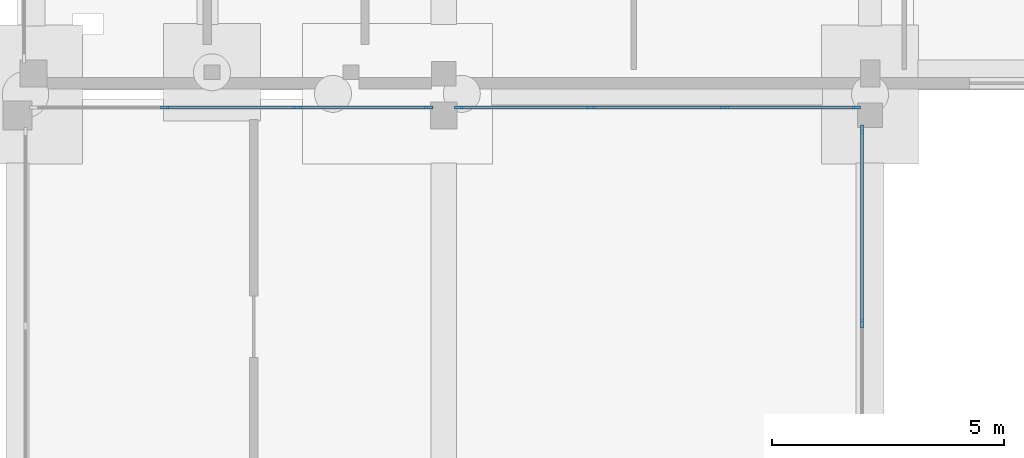
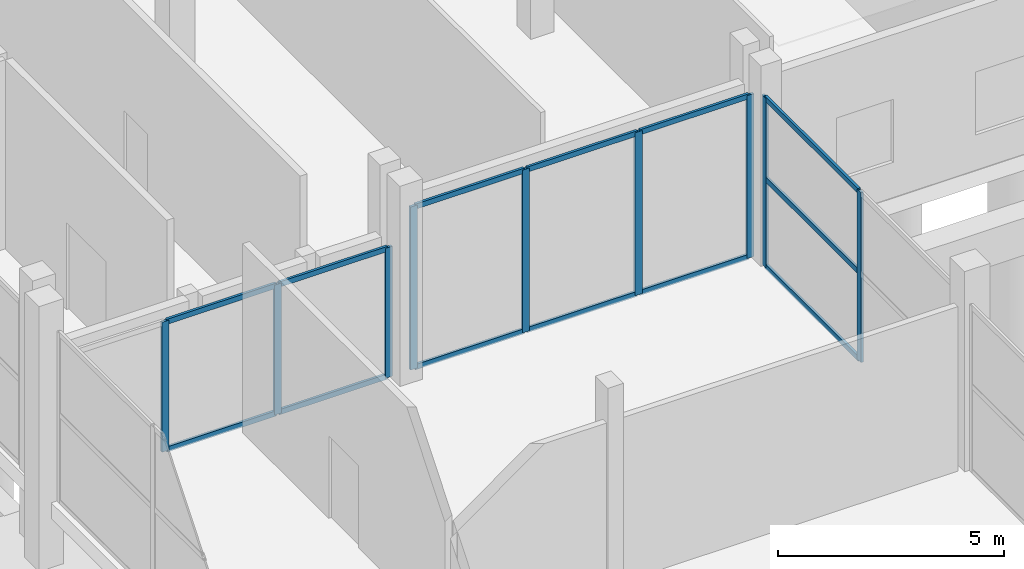
# One storey, part 44 of 88: 22 members, 3 elements without a shape of their own.
"""IFC4 building model written with IfcOpenShell, lengths in metres."""

import ifcopenshell
import ifcopenshell.guid

model = None  # the IFC model being written
_history = None  # IfcOwnerHistory: only IFC2X3 demands one
_inside = {}  # id of a spatial element -> (the spatial element, [elements in it])
_under = {}  # id of a project, library or spatial element -> (it, [spatial elements below it])
_declared = {}  # id of a project -> (the project, [libraries it declares])
_typed = {}  # id of a type object -> (the type object, [elements of that type])
_made_of = {}  # id of a material, layer set ... -> (it, [elements and type objects made of it])


def new_model(schema):
    """Start an empty IFC model of exactly this schema.

    Asked for "IFC4X3", IfcOpenShell would pick the latest addendum, in which some entities
    have other attributes; the version numbers below select the first issue.
    IFC2X3 requires an IfcOwnerHistory on every rooted entity: one is made here for all.
    """
    global model, _history
    if schema == "IFC4X3":
        model = ifcopenshell.file(schema_version=(4, 3, 0, 0))
    else:
        model = ifcopenshell.file(schema=schema)
    _inside.clear()
    _under.clear()
    _declared.clear()
    _typed.clear()
    _made_of.clear()
    _history = None
    if model.schema == "IFC2X3":
        org = make("IfcOrganization", Name="unknown")
        user = make(
            "IfcPersonAndOrganization",
            ThePerson=make("IfcPerson", FamilyName="unknown"),
            TheOrganization=org,
        )
        app = make(
            "IfcApplication",
            ApplicationDeveloper=org,
            Version="unknown",
            ApplicationFullName="unknown",
            ApplicationIdentifier="unknown",
        )
        _history = make(
            "IfcOwnerHistory",
            OwningUser=user,
            OwningApplication=app,
            ChangeAction="ADDED",
            CreationDate=0,
        )
    return model


def make(cls, **values):
    """One entity of the class cls with the attributes given. An attribute that is None is left unset."""
    return model.create_entity(
        cls, **{name: value for name, value in values.items() if value is not None}
    )


def rooted(cls, **values):
    """An entity with a GlobalId (a new one), such as an element, a storey or a relation."""
    return make(cls, GlobalId=ifcopenshell.guid.new(), OwnerHistory=_history, **values)


def si_unit(unit_type, name, prefix=None):
    """IfcSIUnit, for example si_unit("LENGTHUNIT", "METRE", prefix="MILLI")."""
    return make("IfcSIUnit", UnitType=unit_type, Prefix=prefix, Name=name)


def assignment(units):
    """IfcUnitAssignment: the units of a project."""
    return None if units is None else make("IfcUnitAssignment", Units=units)


def point(xyz):
    """IfcCartesianPoint."""
    return None if xyz is None else make("IfcCartesianPoint", Coordinates=xyz)


def direction(xyz):
    """IfcDirection."""
    return None if xyz is None else make("IfcDirection", DirectionRatios=xyz)


def frame(location, z_axis=None, x_axis=None):
    """IfcAxis2Placement3D, a coordinate frame: its origin and axes. An axis left out is left unset."""
    return make(
        "IfcAxis2Placement3D",
        Location=point(location),
        Axis=direction(z_axis),
        RefDirection=direction(x_axis),
    )


def frame_2d(location, x_axis=None):
    """IfcAxis2Placement2D, a coordinate frame in the plane: its origin and x axis."""
    return make(
        "IfcAxis2Placement2D", Location=point(location), RefDirection=direction(x_axis)
    )


def origin():
    """The frame at (0, 0, 0) with its axes left unset."""
    return frame((0.0, 0.0, 0.0))


def origin_2d():
    """The frame at (0, 0) in the plane with its x axis left unset."""
    return frame_2d((0.0, 0.0))


def place(relative_to, where):
    """IfcLocalPlacement: puts the frame where relative to a parent placement (None: the world)."""
    return make(
        "IfcLocalPlacement", PlacementRelTo=relative_to, RelativePlacement=where
    )


def context(
    kind, dimensions, precision=None, world=None, true_north=None, identifier=None
):
    """IfcGeometricRepresentationContext, for example the 3D "Model" context."""
    return make(
        "IfcGeometricRepresentationContext",
        ContextIdentifier=identifier,
        ContextType=kind,
        CoordinateSpaceDimension=dimensions,
        Precision=precision,
        WorldCoordinateSystem=world,
        TrueNorth=true_north,
    )


def subcontext(parent, identifier, kind, view, scale=None):
    """IfcGeometricRepresentationSubContext, for example "Body" below "Model"."""
    return make(
        "IfcGeometricRepresentationSubContext",
        ContextIdentifier=identifier,
        ContextType=kind,
        ParentContext=parent,
        TargetScale=scale,
        TargetView=view,
    )


def project(units=None, contexts=None):
    """IfcProject with its units and contexts."""
    return rooted(
        "IfcProject",
        Name="project",
        RepresentationContexts=contexts,
        UnitsInContext=assignment(units),
    )


def spatial(cls, under=None, at=None, **own):
    """A site, building, storey or space (cls), placed at a placement, below another one or the project."""
    s = rooted(cls, ObjectPlacement=at, **own)
    if under is not None:
        _under.setdefault(under.id(), (under, []))[1].append(s)
    return s


def profile(cls, at=None, kind="AREA", **sizes):
    """A parametric profile (cls). Its sizes go by their IFC names, for example OverallWidth=200.0."""
    return make(cls, ProfileType=kind, Position=at, **sizes)


def rectangle(**sizes):
    """IfcRectangleProfileDef."""
    return profile("IfcRectangleProfileDef", **sizes)


def extrude(swept, where, along, depth):
    """IfcExtrudedAreaSolid: the profile swept, set in the frame where, extruded along a direction by depth."""
    return make(
        "IfcExtrudedAreaSolid",
        SweptArea=swept,
        Position=where,
        ExtrudedDirection=direction(along),
        Depth=depth,
    )


def shape(context_of_items, identifier, shape_type, items):
    """IfcShapeRepresentation: the items that make up one representation, for example the "Body"."""
    return make(
        "IfcShapeRepresentation",
        ContextOfItems=context_of_items,
        RepresentationIdentifier=identifier,
        RepresentationType=shape_type,
        Items=items,
    )


def material(Name=None, Category=None):
    """IfcMaterial."""
    return make("IfcMaterial", Name=Name, Category=Category)


def layer(
    of_material, thickness, ventilated=None, Name=None, Category=None, Priority=None
):
    """IfcMaterialLayer: one layer of a wall or slab, of a material (None: an air gap)."""
    return make(
        "IfcMaterialLayer",
        Material=of_material,
        LayerThickness=thickness,
        IsVentilated=ventilated,
        Name=Name,
        Category=Category,
        Priority=Priority,
    )


def layer_set(layers, Name=None):
    """IfcMaterialLayerSet."""
    return make("IfcMaterialLayerSet", MaterialLayers=layers, LayerSetName=Name)


def material_profile(
    of_material, cross_section, Name=None, Category=None, Priority=None
):
    """IfcMaterialProfile: a cross section and its material."""
    return make(
        "IfcMaterialProfile",
        Name=Name,
        Material=of_material,
        Profile=cross_section,
        Priority=Priority,
        Category=Category,
    )


def profile_set(profiles, Name=None, composite=None):
    """IfcMaterialProfileSet."""
    return make(
        "IfcMaterialProfileSet",
        Name=Name,
        MaterialProfiles=profiles,
        CompositeProfile=composite,
    )


def made_of(thing, what):
    """Note that an element or type object is made of a material, layer set ...; save() writes the relation."""
    if what is not None:
        _made_of.setdefault(what.id(), (what, []))[1].append(thing)
    return thing


def type_object(cls, material=None, **own):
    """A type object (cls), such as IfcWallType, which elements share."""
    return made_of(rooted(cls, **own), material)


def element(
    cls,
    number,
    at=None,
    inside=None,
    cuts=None,
    type_object=None,
    material=None,
    context=None,
    identifier="Body",
    shape_type=None,
    held_by="IfcProductDefinitionShape",
    body=None,
    shapes=None,
    **own,
):
    """One element of the class cls, such as IfcWall. Its Tag is "e" and its number.

    at: its placement. inside: the storey or other place that contains it. cuts: it is an
    opening in that element (IfcRelVoidsElement). A single representation is given by context,
    identifier, shape_type and body (its items); several are given by shapes. held_by: the class
    of the entity that holds the representations. save() writes the other relations.
    """
    e = rooted(cls, Tag="e%d" % number, ObjectPlacement=at, **own)
    if body is not None:
        shapes = [shape(context, identifier, shape_type, body)]
    if shapes is not None:
        e.Representation = make(held_by, Representations=shapes)
    if inside is not None:
        _inside.setdefault(inside.id(), (inside, []))[1].append(e)
    if cuts is not None:
        rooted(
            "IfcRelVoidsElement", RelatingBuildingElement=cuts, RelatedOpeningElement=e
        )
    if type_object is not None:
        _typed.setdefault(type_object.id(), (type_object, []))[1].append(e)
    return made_of(e, material)


def aggregate(whole, parts):
    """IfcRelAggregates: a whole, such as a stair, and the parts it consists of."""
    return rooted("IfcRelAggregates", RelatingObject=whole, RelatedObjects=parts)


def save(model, path):
    """Write the relations noted so far, then the file.

    IfcRelAggregates (storeys below a building ...), IfcRelContainedInSpatialStructure (elements
    in a storey), IfcRelDefinesByType, IfcRelAssociatesMaterial and IfcRelDeclares: one each for
    every whole, place, type object, material and project.
    """
    for whole, parts in _under.values():
        aggregate(whole, parts)
    for where, things in _inside.values():
        rooted(
            "IfcRelContainedInSpatialStructure",
            RelatedElements=things,
            RelatingStructure=where,
        )
    for kind, things in _typed.values():
        rooted("IfcRelDefinesByType", RelatedObjects=things, RelatingType=kind)
    for what, things in _made_of.values():
        rooted("IfcRelAssociatesMaterial", RelatedObjects=things, RelatingMaterial=what)
    for by, libraries in _declared.values():
        rooted("IfcRelDeclares", RelatingContext=by, RelatedDefinitions=libraries)
    model.write(path)


model = new_model("IFC4")

# Units and contexts
model_context = context("Model", 3, precision=1e-05, world=origin(), true_north=direction((0.0, 1.0)))
body_context = subcontext(model_context, "Body", "Model", "MODEL_VIEW")
ifc_project = project(units=[si_unit("LENGTHUNIT", "METRE"), si_unit("AREAUNIT", "SQUARE_METRE"), si_unit("VOLUMEUNIT", "CUBIC_METRE"), si_unit("PLANEANGLEUNIT", "RADIAN"), si_unit("MASSUNIT", "GRAM", prefix="KILO")], contexts=[model_context])

# Site, building, storey
site_placement = place(None, origin())
site = spatial("IfcSite", under=ifc_project, at=site_placement, CompositionType="ELEMENT")
building_placement = place(site_placement, origin())
building = spatial("IfcBuilding", under=site, at=building_placement, Name="Birchvale Park Specialist Clinic", CompositionType="ELEMENT")
storey_placement = place(building_placement, origin())
storey = spatial("IfcBuildingStorey", under=building, at=storey_placement, Name="L00", CompositionType="ELEMENT", Elevation=0.0)

# Curtain wall, members
ifc_material = material(Name="Thermally broken anodised aluminium", Category="aluminium")
ifc_layer = layer(ifc_material, 0.195068359375)
ifc_layer_set = layer_set([ifc_layer], Name="Thermally broken anodised aluminium")
curtain_wall_type = type_object("IfcCurtainWallType", Name="CW-U2", PredefinedType="USERDEFINED", material=ifc_layer_set)
curtain_wall_1_placement = place(storey_placement, origin())
curtain_wall_1 = element("IfcCurtainWall", 1, at=curtain_wall_1_placement, inside=storey, type_object=curtain_wall_type, Name="V5 L00 glazed curtain wall 56", ObjectType="UNITISED", PredefinedType="USERDEFINED")
ifc_material_profile_1 = material_profile(ifc_material, rectangle(XDim=0.06494140625, YDim=0.179931640625, at=origin_2d()), Name="CWM-65x180")
ifc_profile_set_1 = profile_set([ifc_material_profile_1], Name="Thermally broken anodised aluminium")
member_type_1 = type_object("IfcMemberType", Name="CWM2", PredefinedType="MULLION", material=ifc_profile_set_1)
member_1_placement = place(storey_placement, frame((146.22509765625, 58.554931640625, 0.0), z_axis=(0.0, 0.0, 1.0), x_axis=(-1.0, 0.0, 0.0)))
member_1 = element("IfcMember", 2, at=member_1_placement, type_object=member_type_1, Name="CW mullion 2", PredefinedType="MULLION", context=body_context, shape_type="SweptSolid", body=[
    extrude(rectangle(XDim=0.06494140625, YDim=0.179931640625, at=origin_2d()), origin(), (0.0, 0.0, 1.0), 4.5849609375),
])
member_2_placement = place(storey_placement, frame((146.22509765625, 62.75244140625, 0.0), z_axis=(0.0, 0.0, 1.0), x_axis=(-1.0, 0.0, 0.0)))
member_2 = element("IfcMember", 3, at=member_2_placement, type_object=member_type_1, Name="CW mullion 3", PredefinedType="MULLION", context=body_context, shape_type="SweptSolid", body=[
    extrude(rectangle(XDim=0.06494140625, YDim=0.179931640625, at=origin_2d()), origin(), (0.0, 0.0, 1.0), 4.5849609375),
])

curtain_wall_2_placement = place(storey_placement, origin())
curtain_wall_2 = element("IfcCurtainWall", 4, at=curtain_wall_2_placement, inside=storey, type_object=curtain_wall_type, Name="V5 L00 glazed curtain wall 57", ObjectType="UNITISED", PredefinedType="USERDEFINED")
member_3_placement = place(storey_placement, frame((146.1025390625, 63.22509765625, 0.0), z_axis=(0.0, 0.0, 1.0), x_axis=(0.0, -1.0, 0.0)))
member_3 = element("IfcMember", 5, at=member_3_placement, type_object=member_type_1, Name="CW mullion 1", PredefinedType="MULLION", context=body_context, shape_type="SweptSolid", body=[
    extrude(rectangle(XDim=0.06494140625, YDim=0.179931640625, at=origin_2d()), origin(), (0.0, 0.0, 1.0), 4.39501953125),
])
member_4_placement = place(storey_placement, frame((143.25341796875, 63.22509765625, 0.0), z_axis=(0.0, 0.0, 1.0), x_axis=(0.0, -1.0, 0.0)))
member_4 = element("IfcMember", 6, at=member_4_placement, type_object=member_type_1, Name="CW mullion 2", PredefinedType="MULLION", context=body_context, shape_type="SweptSolid", body=[
    extrude(rectangle(XDim=0.06494140625, YDim=0.179931640625, at=origin_2d()), origin(), (0.0, 0.0, 1.0), 4.39501953125),
])
member_5_placement = place(storey_placement, frame((140.37158203125, 63.22509765625, 0.0), z_axis=(0.0, 0.0, 1.0), x_axis=(0.0, -1.0, 0.0)))
member_5 = element("IfcMember", 7, at=member_5_placement, type_object=member_type_1, Name="CW mullion 3", PredefinedType="MULLION", context=body_context, shape_type="SweptSolid", body=[
    extrude(rectangle(XDim=0.06494140625, YDim=0.179931640625, at=origin_2d()), origin(), (0.0, 0.0, 1.0), 4.39501953125),
])
member_6_placement = place(storey_placement, frame((137.5224609375, 63.22509765625, 0.0), z_axis=(0.0, 0.0, 1.0), x_axis=(0.0, -1.0, 0.0)))
member_6 = element("IfcMember", 8, at=member_6_placement, type_object=member_type_1, Name="CW mullion 4", PredefinedType="MULLION", context=body_context, shape_type="SweptSolid", body=[
    extrude(rectangle(XDim=0.06494140625, YDim=0.179931640625, at=origin_2d()), origin(), (0.0, 0.0, 1.0), 4.39501953125),
])

curtain_wall_3_placement = place(storey_placement, origin())
curtain_wall_3 = element("IfcCurtainWall", 9, at=curtain_wall_3_placement, inside=storey, type_object=curtain_wall_type, Name="V5 L00 glazed curtain wall 58", ObjectType="UNITISED", PredefinedType="USERDEFINED")
member_7_placement = place(storey_placement, frame((136.87744140625, 63.22509765625, 0.0), z_axis=(0.0, 0.0, 1.0), x_axis=(0.0, -1.0, 0.0)))
member_7 = element("IfcMember", 10, at=member_7_placement, type_object=member_type_1, Name="CW mullion 1", PredefinedType="MULLION", context=body_context, shape_type="SweptSolid", body=[
    extrude(rectangle(XDim=0.06494140625, YDim=0.179931640625, at=origin_2d()), origin(), (0.0, 0.0, 1.0), 3.508056640625),
])
member_8_placement = place(storey_placement, frame((134.044921875, 63.22509765625, 0.0), z_axis=(0.0, 0.0, 1.0), x_axis=(0.0, -1.0, 0.0)))
member_8 = element("IfcMember", 11, at=member_8_placement, type_object=member_type_1, Name="CW mullion 2", PredefinedType="MULLION", context=body_context, shape_type="SweptSolid", body=[
    extrude(rectangle(XDim=0.06494140625, YDim=0.179931640625, at=origin_2d()), origin(), (0.0, 0.0, 1.0), 3.508056640625),
])
member_9_placement = place(storey_placement, frame((131.179931640625, 63.22509765625, 0.0), z_axis=(0.0, 0.0, 1.0), x_axis=(0.0, -1.0, 0.0)))
member_9 = element("IfcMember", 12, at=member_9_placement, type_object=member_type_1, Name="CW mullion 3", PredefinedType="MULLION", context=body_context, shape_type="SweptSolid", body=[
    extrude(rectangle(XDim=0.06494140625, YDim=0.179931640625, at=origin_2d()), origin(), (0.0, 0.0, 1.0), 3.508056640625),
])

# Member
ifc_material_profile_2 = material_profile(ifc_material, rectangle(XDim=0.06494140625, YDim=0.139892578125, at=origin_2d()), Name="CWT-65x140")
ifc_profile_set_2 = profile_set([ifc_material_profile_2], Name="Thermally broken anodised aluminium")
member_type_2 = type_object("IfcMemberType", Name="CWT2", PredefinedType="USERDEFINED", material=ifc_profile_set_2)
member_10_placement = place(storey_placement, frame((146.22509765625, 58.58740234375, 0.032470703125), z_axis=(0.0, 1.0, 0.0), x_axis=(-1.0, 0.0, 0.0)))
member_10 = element("IfcMember", 13, at=member_10_placement, type_object=member_type_2, Name="CW transom 2.1", ObjectType="TRANSOM", PredefinedType="USERDEFINED", context=body_context, shape_type="SweptSolid", body=[
    extrude(rectangle(XDim=0.06494140625, YDim=0.139892578125, at=origin_2d()), origin(), (0.0, 0.0, 1.0), 4.132568359375),
])

member_11_placement = place(storey_placement, frame((146.22509765625, 58.58740234375, 2.38427734375), z_axis=(0.0, 1.0, 0.0), x_axis=(-1.0, 0.0, 0.0)))
member_11 = element("IfcMember", 14, at=member_11_placement, type_object=member_type_2, Name="CW transom 2.2", ObjectType="TRANSOM", PredefinedType="USERDEFINED", context=body_context, shape_type="SweptSolid", body=[
    extrude(rectangle(XDim=0.06494140625, YDim=0.139892578125, at=origin_2d()), origin(), (0.0, 0.0, 1.0), 4.132568359375),
])

member_12_placement = place(storey_placement, frame((146.22509765625, 58.58740234375, 4.552490234375), z_axis=(0.0, 1.0, 0.0), x_axis=(-1.0, 0.0, 0.0)))
member_12 = element("IfcMember", 15, at=member_12_placement, type_object=member_type_2, Name="CW transom 2.3", ObjectType="TRANSOM", PredefinedType="USERDEFINED", context=body_context, shape_type="SweptSolid", body=[
    extrude(rectangle(XDim=0.06494140625, YDim=0.139892578125, at=origin_2d()), origin(), (0.0, 0.0, 1.0), 4.132568359375),
])

aggregate(curtain_wall_1, [member_1, member_2, member_10, member_11, member_12])

member_13_placement = place(storey_placement, frame((146.070068359375, 63.22509765625, 0.032470703125), z_axis=(-1.0, 0.0, 0.0), x_axis=(0.0, -1.0, 0.0)))
member_13 = element("IfcMember", 16, at=member_13_placement, type_object=member_type_2, Name="CW transom 1.1", ObjectType="TRANSOM", PredefinedType="USERDEFINED", context=body_context, shape_type="SweptSolid", body=[
    extrude(rectangle(XDim=0.06494140625, YDim=0.139892578125, at=origin_2d()), origin(), (0.0, 0.0, 1.0), 2.7841796875),
])

member_14_placement = place(storey_placement, frame((146.070068359375, 63.22509765625, 4.362548828125), z_axis=(-1.0, 0.0, 0.0), x_axis=(0.0, -1.0, 0.0)))
member_14 = element("IfcMember", 17, at=member_14_placement, type_object=member_type_2, Name="CW transom 1.2", ObjectType="TRANSOM", PredefinedType="USERDEFINED", context=body_context, shape_type="SweptSolid", body=[
    extrude(rectangle(XDim=0.06494140625, YDim=0.139892578125, at=origin_2d()), origin(), (0.0, 0.0, 1.0), 2.7841796875),
])

member_15_placement = place(storey_placement, frame((143.220947265625, 63.22509765625, 0.032470703125), z_axis=(-1.0, 0.0, 0.0), x_axis=(0.0, -1.0, 0.0)))
member_15 = element("IfcMember", 18, at=member_15_placement, type_object=member_type_2, Name="CW transom 2.1", ObjectType="TRANSOM", PredefinedType="USERDEFINED", context=body_context, shape_type="SweptSolid", body=[
    extrude(rectangle(XDim=0.06494140625, YDim=0.139892578125, at=origin_2d()), origin(), (0.0, 0.0, 1.0), 2.81689453125),
])

member_16_placement = place(storey_placement, frame((143.220947265625, 63.22509765625, 4.362548828125), z_axis=(-1.0, 0.0, 0.0), x_axis=(0.0, -1.0, 0.0)))
member_16 = element("IfcMember", 19, at=member_16_placement, type_object=member_type_2, Name="CW transom 2.2", ObjectType="TRANSOM", PredefinedType="USERDEFINED", context=body_context, shape_type="SweptSolid", body=[
    extrude(rectangle(XDim=0.06494140625, YDim=0.139892578125, at=origin_2d()), origin(), (0.0, 0.0, 1.0), 2.81689453125),
])

member_17_placement = place(storey_placement, frame((140.339111328125, 63.22509765625, 0.032470703125), z_axis=(-1.0, 0.0, 0.0), x_axis=(0.0, -1.0, 0.0)))
member_17 = element("IfcMember", 20, at=member_17_placement, type_object=member_type_2, Name="CW transom 3.1", ObjectType="TRANSOM", PredefinedType="USERDEFINED", context=body_context, shape_type="SweptSolid", body=[
    extrude(rectangle(XDim=0.06494140625, YDim=0.139892578125, at=origin_2d()), origin(), (0.0, 0.0, 1.0), 2.7841796875),
])

member_18_placement = place(storey_placement, frame((140.339111328125, 63.22509765625, 4.362548828125), z_axis=(-1.0, 0.0, 0.0), x_axis=(0.0, -1.0, 0.0)))
member_18 = element("IfcMember", 21, at=member_18_placement, type_object=member_type_2, Name="CW transom 3.2", ObjectType="TRANSOM", PredefinedType="USERDEFINED", context=body_context, shape_type="SweptSolid", body=[
    extrude(rectangle(XDim=0.06494140625, YDim=0.139892578125, at=origin_2d()), origin(), (0.0, 0.0, 1.0), 2.7841796875),
])

aggregate(curtain_wall_2, [member_3, member_4, member_5, member_6, member_13, member_14, member_15, member_16, member_17, member_18])

member_19_placement = place(storey_placement, frame((136.844970703125, 63.22509765625, 0.032470703125), z_axis=(-1.0, 0.0, 0.0), x_axis=(0.0, -1.0, 0.0)))
member_19 = element("IfcMember", 22, at=member_19_placement, type_object=member_type_2, Name="CW transom 1.1", ObjectType="TRANSOM", PredefinedType="USERDEFINED", context=body_context, shape_type="SweptSolid", body=[
    extrude(rectangle(XDim=0.06494140625, YDim=0.139892578125, at=origin_2d()), origin(), (0.0, 0.0, 1.0), 2.767578125),
])

member_20_placement = place(storey_placement, frame((136.844970703125, 63.22509765625, 3.4755859375), z_axis=(-1.0, 0.0, 0.0), x_axis=(0.0, -1.0, 0.0)))
member_20 = element("IfcMember", 23, at=member_20_placement, type_object=member_type_2, Name="CW transom 1.2", ObjectType="TRANSOM", PredefinedType="USERDEFINED", context=body_context, shape_type="SweptSolid", body=[
    extrude(rectangle(XDim=0.06494140625, YDim=0.139892578125, at=origin_2d()), origin(), (0.0, 0.0, 1.0), 2.767578125),
])

member_21_placement = place(storey_placement, frame((134.012451171875, 63.22509765625, 0.032470703125), z_axis=(-1.0, 0.0, 0.0), x_axis=(0.0, -1.0, 0.0)))
member_21 = element("IfcMember", 24, at=member_21_placement, type_object=member_type_2, Name="CW transom 2.1", ObjectType="TRANSOM", PredefinedType="USERDEFINED", context=body_context, shape_type="SweptSolid", body=[
    extrude(rectangle(XDim=0.06494140625, YDim=0.139892578125, at=origin_2d()), origin(), (0.0, 0.0, 1.0), 2.800048828125),
])

member_22_placement = place(storey_placement, frame((134.012451171875, 63.22509765625, 3.4755859375), z_axis=(-1.0, 0.0, 0.0), x_axis=(0.0, -1.0, 0.0)))
member_22 = element("IfcMember", 25, at=member_22_placement, type_object=member_type_2, Name="CW transom 2.2", ObjectType="TRANSOM", PredefinedType="USERDEFINED", context=body_context, shape_type="SweptSolid", body=[
    extrude(rectangle(XDim=0.06494140625, YDim=0.139892578125, at=origin_2d()), origin(), (0.0, 0.0, 1.0), 2.800048828125),
])

aggregate(curtain_wall_3, [member_7, member_8, member_9, member_19, member_20, member_21, member_22])

save(model, "model.ifc")
